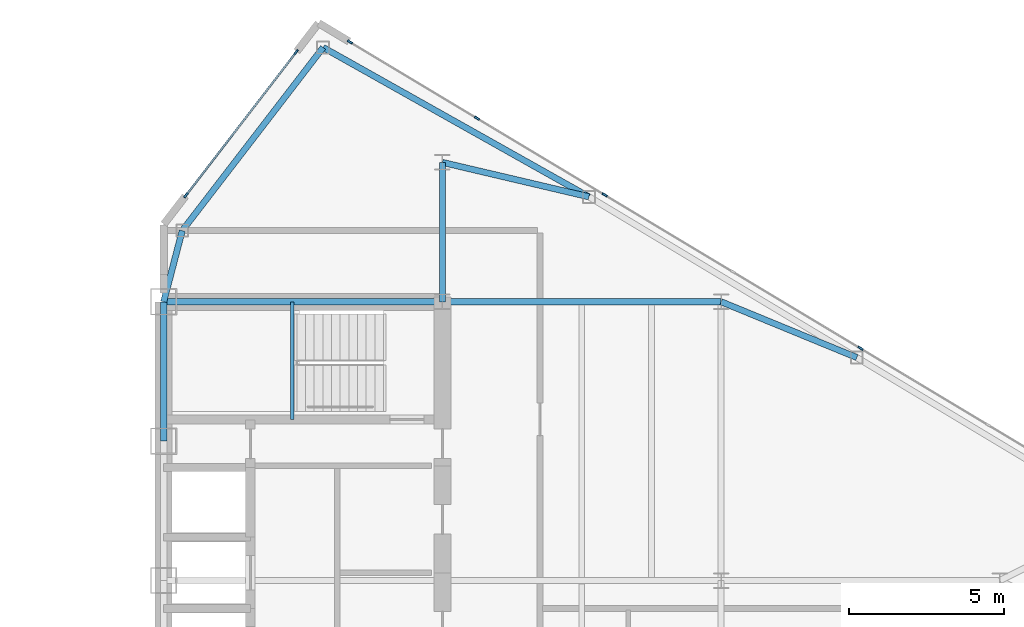
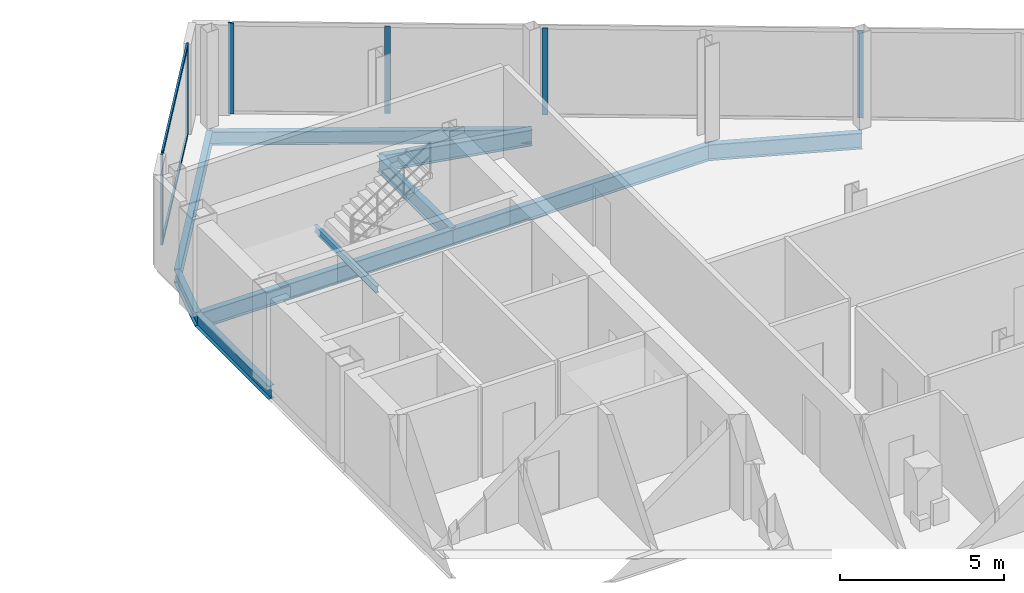
# One storey, part 15 of 25: 10 beams, 8 members, 2 elements without a shape of their own.
"""IFC4 building model written with IfcOpenShell, lengths in metres."""

import ifcopenshell
import ifcopenshell.guid

model = None  # the IFC model being written
_history = None  # IfcOwnerHistory: only IFC2X3 demands one
_inside = {}  # id of a spatial element -> (the spatial element, [elements in it])
_under = {}  # id of a project, library or spatial element -> (it, [spatial elements below it])
_declared = {}  # id of a project -> (the project, [libraries it declares])
_typed = {}  # id of a type object -> (the type object, [elements of that type])
_made_of = {}  # id of a material, layer set ... -> (it, [elements and type objects made of it])


def new_model(schema):
    """Start an empty IFC model of exactly this schema.

    Asked for "IFC4X3", IfcOpenShell would pick the latest addendum, in which some entities
    have other attributes; the version numbers below select the first issue.
    IFC2X3 requires an IfcOwnerHistory on every rooted entity: one is made here for all.
    """
    global model, _history
    if schema == "IFC4X3":
        model = ifcopenshell.file(schema_version=(4, 3, 0, 0))
    else:
        model = ifcopenshell.file(schema=schema)
    _inside.clear()
    _under.clear()
    _declared.clear()
    _typed.clear()
    _made_of.clear()
    _history = None
    if model.schema == "IFC2X3":
        org = make("IfcOrganization", Name="unknown")
        user = make(
            "IfcPersonAndOrganization",
            ThePerson=make("IfcPerson", FamilyName="unknown"),
            TheOrganization=org,
        )
        app = make(
            "IfcApplication",
            ApplicationDeveloper=org,
            Version="unknown",
            ApplicationFullName="unknown",
            ApplicationIdentifier="unknown",
        )
        _history = make(
            "IfcOwnerHistory",
            OwningUser=user,
            OwningApplication=app,
            ChangeAction="ADDED",
            CreationDate=0,
        )
    return model


def make(cls, **values):
    """One entity of the class cls with the attributes given. An attribute that is None is left unset."""
    return model.create_entity(
        cls, **{name: value for name, value in values.items() if value is not None}
    )


def rooted(cls, **values):
    """An entity with a GlobalId (a new one), such as an element, a storey or a relation."""
    return make(cls, GlobalId=ifcopenshell.guid.new(), OwnerHistory=_history, **values)


def si_unit(unit_type, name, prefix=None):
    """IfcSIUnit, for example si_unit("LENGTHUNIT", "METRE", prefix="MILLI")."""
    return make("IfcSIUnit", UnitType=unit_type, Prefix=prefix, Name=name)


def assignment(units):
    """IfcUnitAssignment: the units of a project."""
    return None if units is None else make("IfcUnitAssignment", Units=units)


def point(xyz):
    """IfcCartesianPoint."""
    return None if xyz is None else make("IfcCartesianPoint", Coordinates=xyz)


def direction(xyz):
    """IfcDirection."""
    return None if xyz is None else make("IfcDirection", DirectionRatios=xyz)


def frame(location, z_axis=None, x_axis=None):
    """IfcAxis2Placement3D, a coordinate frame: its origin and axes. An axis left out is left unset."""
    return make(
        "IfcAxis2Placement3D",
        Location=point(location),
        Axis=direction(z_axis),
        RefDirection=direction(x_axis),
    )


def frame_2d(location, x_axis=None):
    """IfcAxis2Placement2D, a coordinate frame in the plane: its origin and x axis."""
    return make(
        "IfcAxis2Placement2D", Location=point(location), RefDirection=direction(x_axis)
    )


def origin():
    """The frame at (0, 0, 0) with its axes left unset."""
    return frame((0.0, 0.0, 0.0))


def origin_2d():
    """The frame at (0, 0) in the plane with its x axis left unset."""
    return frame_2d((0.0, 0.0))


def place(relative_to, where):
    """IfcLocalPlacement: puts the frame where relative to a parent placement (None: the world)."""
    return make(
        "IfcLocalPlacement", PlacementRelTo=relative_to, RelativePlacement=where
    )


def context(
    kind, dimensions, precision=None, world=None, true_north=None, identifier=None
):
    """IfcGeometricRepresentationContext, for example the 3D "Model" context."""
    return make(
        "IfcGeometricRepresentationContext",
        ContextIdentifier=identifier,
        ContextType=kind,
        CoordinateSpaceDimension=dimensions,
        Precision=precision,
        WorldCoordinateSystem=world,
        TrueNorth=true_north,
    )


def subcontext(parent, identifier, kind, view, scale=None):
    """IfcGeometricRepresentationSubContext, for example "Body" below "Model"."""
    return make(
        "IfcGeometricRepresentationSubContext",
        ContextIdentifier=identifier,
        ContextType=kind,
        ParentContext=parent,
        TargetScale=scale,
        TargetView=view,
    )


def project(units=None, contexts=None):
    """IfcProject with its units and contexts."""
    return rooted(
        "IfcProject",
        Name="project",
        RepresentationContexts=contexts,
        UnitsInContext=assignment(units),
    )


def spatial(cls, under=None, at=None, **own):
    """A site, building, storey or space (cls), placed at a placement, below another one or the project."""
    s = rooted(cls, ObjectPlacement=at, **own)
    if under is not None:
        _under.setdefault(under.id(), (under, []))[1].append(s)
    return s


def profile(cls, at=None, kind="AREA", **sizes):
    """A parametric profile (cls). Its sizes go by their IFC names, for example OverallWidth=200.0."""
    return make(cls, ProfileType=kind, Position=at, **sizes)


def rectangle(**sizes):
    """IfcRectangleProfileDef."""
    return profile("IfcRectangleProfileDef", **sizes)


def i_section(**sizes):
    """IfcIShapeProfileDef."""
    return profile("IfcIShapeProfileDef", **sizes)


def extrude(swept, where, along, depth):
    """IfcExtrudedAreaSolid: the profile swept, set in the frame where, extruded along a direction by depth."""
    return make(
        "IfcExtrudedAreaSolid",
        SweptArea=swept,
        Position=where,
        ExtrudedDirection=direction(along),
        Depth=depth,
    )


def shape(context_of_items, identifier, shape_type, items):
    """IfcShapeRepresentation: the items that make up one representation, for example the "Body"."""
    return make(
        "IfcShapeRepresentation",
        ContextOfItems=context_of_items,
        RepresentationIdentifier=identifier,
        RepresentationType=shape_type,
        Items=items,
    )


def source(mapping_origin, context_of_items, identifier, shape_type, items):
    """IfcRepresentationMap: a shape defined once, which mapped items show again and again."""
    return make(
        "IfcRepresentationMap",
        MappingOrigin=mapping_origin,
        MappedRepresentation=shape(context_of_items, identifier, shape_type, items),
    )


def transform(
    local_origin,
    x_axis=None,
    y_axis=None,
    z_axis=None,
    scale=None,
    scale2=None,
    scale3=None,
    uniform=True,
):
    """IfcCartesianTransformationOperator3D, or its non-uniform kind. x_axis, y_axis, z_axis: its Axis1, 2, 3."""
    if uniform:
        return make(
            "IfcCartesianTransformationOperator3D",
            Axis1=direction(x_axis),
            Axis2=direction(y_axis),
            LocalOrigin=point(local_origin),
            Scale=scale,
            Axis3=direction(z_axis),
        )
    return make(
        "IfcCartesianTransformationOperator3DnonUniform",
        Axis1=direction(x_axis),
        Axis2=direction(y_axis),
        LocalOrigin=point(local_origin),
        Scale=scale,
        Axis3=direction(z_axis),
        Scale2=scale2,
        Scale3=scale3,
    )


def mapped(mapping_source, mapping_target):
    """IfcMappedItem: shows the shape of a source again, moved by a transform."""
    return make(
        "IfcMappedItem", MappingSource=mapping_source, MappingTarget=mapping_target
    )


def material(Name=None, Category=None):
    """IfcMaterial."""
    return make("IfcMaterial", Name=Name, Category=Category)


def layer(
    of_material, thickness, ventilated=None, Name=None, Category=None, Priority=None
):
    """IfcMaterialLayer: one layer of a wall or slab, of a material (None: an air gap)."""
    return make(
        "IfcMaterialLayer",
        Material=of_material,
        LayerThickness=thickness,
        IsVentilated=ventilated,
        Name=Name,
        Category=Category,
        Priority=Priority,
    )


def layer_set(layers, Name=None):
    """IfcMaterialLayerSet."""
    return make("IfcMaterialLayerSet", MaterialLayers=layers, LayerSetName=Name)


def material_profile(
    of_material, cross_section, Name=None, Category=None, Priority=None
):
    """IfcMaterialProfile: a cross section and its material."""
    return make(
        "IfcMaterialProfile",
        Name=Name,
        Material=of_material,
        Profile=cross_section,
        Priority=Priority,
        Category=Category,
    )


def profile_set(profiles, Name=None, composite=None):
    """IfcMaterialProfileSet."""
    return make(
        "IfcMaterialProfileSet",
        Name=Name,
        MaterialProfiles=profiles,
        CompositeProfile=composite,
    )


def made_of(thing, what):
    """Note that an element or type object is made of a material, layer set ...; save() writes the relation."""
    if what is not None:
        _made_of.setdefault(what.id(), (what, []))[1].append(thing)
    return thing


def type_object(cls, material=None, **own):
    """A type object (cls), such as IfcWallType, which elements share."""
    return made_of(rooted(cls, **own), material)


def type_shapes(of_type, sources):
    """Give a type object the sources (RepresentationMaps) that its elements show as mapped items."""
    of_type.RepresentationMaps = sources


def element(
    cls,
    number,
    at=None,
    inside=None,
    cuts=None,
    type_object=None,
    material=None,
    context=None,
    identifier="Body",
    shape_type=None,
    held_by="IfcProductDefinitionShape",
    body=None,
    shapes=None,
    **own,
):
    """One element of the class cls, such as IfcWall. Its Tag is "e" and its number.

    at: its placement. inside: the storey or other place that contains it. cuts: it is an
    opening in that element (IfcRelVoidsElement). A single representation is given by context,
    identifier, shape_type and body (its items); several are given by shapes. held_by: the class
    of the entity that holds the representations. save() writes the other relations.
    """
    e = rooted(cls, Tag="e%d" % number, ObjectPlacement=at, **own)
    if body is not None:
        shapes = [shape(context, identifier, shape_type, body)]
    if shapes is not None:
        e.Representation = make(held_by, Representations=shapes)
    if inside is not None:
        _inside.setdefault(inside.id(), (inside, []))[1].append(e)
    if cuts is not None:
        rooted(
            "IfcRelVoidsElement", RelatingBuildingElement=cuts, RelatedOpeningElement=e
        )
    if type_object is not None:
        _typed.setdefault(type_object.id(), (type_object, []))[1].append(e)
    return made_of(e, material)


def aggregate(whole, parts):
    """IfcRelAggregates: a whole, such as a stair, and the parts it consists of."""
    return rooted("IfcRelAggregates", RelatingObject=whole, RelatedObjects=parts)


def save(model, path):
    """Write the relations noted so far, then the file.

    IfcRelAggregates (storeys below a building ...), IfcRelContainedInSpatialStructure (elements
    in a storey), IfcRelDefinesByType, IfcRelAssociatesMaterial and IfcRelDeclares: one each for
    every whole, place, type object, material and project.
    """
    for whole, parts in _under.values():
        aggregate(whole, parts)
    for where, things in _inside.values():
        rooted(
            "IfcRelContainedInSpatialStructure",
            RelatedElements=things,
            RelatingStructure=where,
        )
    for kind, things in _typed.values():
        rooted("IfcRelDefinesByType", RelatedObjects=things, RelatingType=kind)
    for what, things in _made_of.values():
        rooted("IfcRelAssociatesMaterial", RelatedObjects=things, RelatingMaterial=what)
    for by, libraries in _declared.values():
        rooted("IfcRelDeclares", RelatingContext=by, RelatedDefinitions=libraries)
    model.write(path)


model = new_model("IFC4")

# Units and contexts
model_context = context("Model", 3, precision=1e-05, world=origin(), true_north=direction((0.0, 1.0)))
body_context = subcontext(model_context, "Body", "Model", "MODEL_VIEW")
ifc_project = project(units=[si_unit("LENGTHUNIT", "METRE"), si_unit("AREAUNIT", "SQUARE_METRE"), si_unit("VOLUMEUNIT", "CUBIC_METRE"), si_unit("PLANEANGLEUNIT", "RADIAN"), si_unit("MASSUNIT", "GRAM", prefix="KILO")], contexts=[model_context])

# Site, building, storey
site_placement = place(None, origin())
site = spatial("IfcSite", under=ifc_project, at=site_placement, CompositionType="ELEMENT")
building_placement = place(site_placement, origin())
building = spatial("IfcBuilding", under=site, at=building_placement, Name="Seokmaru Belvedere", CompositionType="ELEMENT")
storey_placement = place(building_placement, frame((0.0, 0.0, 206.699951171875)))
storey = spatial("IfcBuildingStorey", under=building, at=storey_placement, Name="L55", CompositionType="ELEMENT", Elevation=206.699951171875)

# Beams
ifc_material_1 = material(Name="Steel SM355 (355 MPa)", Category="steel")
ifc_material_profile_1 = material_profile(ifc_material_1, i_section(OverallWidth=0.199951171875, OverallDepth=0.5, WebThickness=0.010009765625, FlangeThickness=0.01611328125, at=origin_2d()), Name="H-500x200x10x16")
ifc_profile_set_1 = profile_set([ifc_material_profile_1], Name="Steel SM355 (355 MPa)")
beam_type_1 = type_object("IfcBeamType", Name="Perimeter Spandrel Beam H-500", PredefinedType="SPANDREL", material=ifc_profile_set_1)
shared_shape_1 = source(origin(), body_context, "Body", "SweptSolid", [
    extrude(i_section(OverallWidth=0.199951171875, OverallDepth=0.5, WebThickness=0.010009765625, FlangeThickness=0.01611328125, at=origin_2d()), origin(), (0.0, 0.0, 1.0), 4.5),
])
beam_1_placement = place(storey_placement, frame((27.5, 9.0, -0.469970703125), z_axis=(0.0, 1.0, 0.0), x_axis=(-1.0, 0.0, 0.0)))
element("IfcBeam", 1, at=beam_1_placement, inside=storey, type_object=beam_type_1, Name="L55 E Portal Spine Spandrel 5", PredefinedType="SPANDREL", context=body_context, shape_type="MappedRepresentation", body=[
    mapped(shared_shape_1, transform((0.0, 0.0, 0.0), scale=1.0)),
])
ifc_material_profile_2 = material_profile(ifc_material_1, i_section(OverallWidth=0.199951171875, OverallDepth=0.60009765625, WebThickness=0.010986328125, FlangeThickness=0.01708984375, at=origin_2d()), Name="H-600x200x11x17")
ifc_profile_set_2 = profile_set([ifc_material_profile_2], Name="Steel SM355 (355 MPa)")
beam_type_2 = type_object("IfcBeamType", Name="Primary Floor Girder H-600", PredefinedType="BEAM", material=ifc_profile_set_2)
shared_shape_2 = source(origin(), body_context, "Body", "SweptSolid", [
    extrude(i_section(OverallWidth=0.199951171875, OverallDepth=0.60009765625, WebThickness=0.010986328125, FlangeThickness=0.01708984375, at=origin_2d()), origin(), (0.0, 0.0, 1.0), 9.0),
])
for number, where, z_axis, x_axis, name in (
    (2, (27.5, 13.5, -0.52001953125), (1.0, 0.0, 0.0), (0.0, 1.0, 0.0), "L55 E Core Tie Girder 4"),
    (3, (36.5, 13.5, -0.52001953125), (1.0, 0.0, 0.0), (0.0, 1.0, 0.0), "L55 E Wing Primary Girder 4"),
):
    element("IfcBeam", number, at=place(storey_placement, frame(where, z_axis=z_axis, x_axis=x_axis)), inside=storey, type_object=beam_type_2, Name=name, PredefinedType="BEAM", context=body_context, shape_type="MappedRepresentation", body=[
        mapped(shared_shape_2, transform((0.0, 0.0, 0.0), scale=1.0)),
    ])
shared_shape_3 = source(origin(), body_context, "Body", "SweptSolid", [
    extrude(i_section(OverallWidth=0.199951171875, OverallDepth=0.60009765625, WebThickness=0.010986328125, FlangeThickness=0.01708984375, at=origin_2d()), origin(), (0.0, 0.0, 1.0), 4.5),
])
beam_2_placement = place(storey_placement, frame((36.5, 13.5, -0.52001953125), z_axis=(0.0, 1.0, 0.0), x_axis=(-1.0, 0.0, 0.0)))
element("IfcBeam", 4, at=beam_2_placement, inside=storey, type_object=beam_type_2, Name="L55 E Core Shoulder Girder N", PredefinedType="BEAM", context=body_context, shape_type="MappedRepresentation", body=[
    mapped(shared_shape_3, transform((0.0, 0.0, 0.0), scale=1.0)),
])
shared_shape_4 = source(origin(), body_context, "Body", "SweptSolid", [
    extrude(i_section(OverallWidth=0.199951171875, OverallDepth=0.5, WebThickness=0.010009765625, FlangeThickness=0.01611328125, at=origin_2d()), origin(), (0.0, 0.0, 1.0), 9.842041015625),
])
beam_3_placement = place(storey_placement, frame((32.649658203125, 21.71044921875, -0.469970703125), z_axis=(0.871782151818, -0.489893743349, 0.0), x_axis=(0.489893743349, 0.871782151818, 0.0)))
element("IfcBeam", 5, at=beam_3_placement, inside=storey, type_object=beam_type_1, Name="L55 E Faceted Flank Spandrel N-1", PredefinedType="SPANDREL", context=body_context, shape_type="MappedRepresentation", body=[
    mapped(shared_shape_4, transform((0.0, 0.0, 0.0), scale=1.0)),
])
shared_shape_5 = source(origin(), body_context, "Body", "SweptSolid", [
    extrude(i_section(OverallWidth=0.199951171875, OverallDepth=0.5, WebThickness=0.010009765625, FlangeThickness=0.01611328125, at=origin_2d()), origin(), (0.0, 0.0, 1.0), 7.4619140625),
])
beam_4_placement = place(storey_placement, frame((32.649658203125, 21.71044921875, -0.469970703125), z_axis=(-0.609702854945, -0.792630070507, 0.0), x_axis=(0.792630070507, -0.609702854945, 0.0)))
element("IfcBeam", 6, at=beam_4_placement, inside=storey, type_object=beam_type_1, Name="L55 E Shoulder Chamfer Spandrel N", PredefinedType="SPANDREL", context=body_context, shape_type="MappedRepresentation", body=[
    mapped(shared_shape_5, transform((0.0, 0.0, 0.0), scale=1.0)),
])
shared_shape_6 = source(origin(), body_context, "Body", "SweptSolid", [
    extrude(i_section(OverallWidth=0.199951171875, OverallDepth=0.5, WebThickness=0.010009765625, FlangeThickness=0.01611328125, at=origin_2d()), origin(), (0.0, 0.0, 1.0), 2.373046875),
])
type_shapes(beam_type_1, [shared_shape_1, shared_shape_4, shared_shape_5, shared_shape_6])
beam_5_placement = place(storey_placement, frame((28.10009765625, 15.7958984375, -0.469970703125), z_axis=(-0.252882558842, -0.967496982648, 0.0), x_axis=(0.967496982648, -0.252882558842, 0.0)))
element("IfcBeam", 7, at=beam_5_placement, inside=storey, type_object=beam_type_1, Name="L55 E Shoulder Spine Spandrel N", PredefinedType="SPANDREL", context=body_context, shape_type="MappedRepresentation", body=[
    mapped(shared_shape_6, transform((0.0, 0.0, 0.0), scale=1.0)),
])
shared_shape_7 = source(origin(), body_context, "Body", "SweptSolid", [
    extrude(i_section(OverallWidth=0.199951171875, OverallDepth=0.60009765625, WebThickness=0.010986328125, FlangeThickness=0.01708984375, at=origin_2d()), origin(), (0.0, 0.0, 1.0), 4.8583984375),
])
beam_6_placement = place(storey_placement, frame((41.229736328125, 16.888916015625, -0.52001953125), z_axis=(-0.97349948295, 0.228689214211, 0.0), x_axis=(-0.228689214211, -0.97349948295, 0.0)))
element("IfcBeam", 8, at=beam_6_placement, inside=storey, type_object=beam_type_2, Name="L55 E Flank Radial Floor Girder N-1", PredefinedType="BEAM", context=body_context, shape_type="MappedRepresentation", body=[
    mapped(shared_shape_7, transform((0.0, 0.0, 0.0), scale=1.0)),
])
shared_shape_8 = source(origin(), body_context, "Body", "SweptSolid", [
    extrude(i_section(OverallWidth=0.199951171875, OverallDepth=0.60009765625, WebThickness=0.010986328125, FlangeThickness=0.01708984375, at=origin_2d()), origin(), (0.0, 0.0, 1.0), 4.73583984375),
])
type_shapes(beam_type_2, [shared_shape_2, shared_shape_3, shared_shape_7, shared_shape_8])
beam_7_placement = place(storey_placement, frame((49.8798828125, 11.698974609375, -0.52001953125), z_axis=(-0.924860562953, 0.380306375301, 0.0), x_axis=(-0.380306375301, -0.924860562953, 0.0)))
element("IfcBeam", 9, at=beam_7_placement, inside=storey, type_object=beam_type_2, Name="L55 E Flank Radial Floor Girder N-2", PredefinedType="BEAM", context=body_context, shape_type="MappedRepresentation", body=[
    mapped(shared_shape_8, transform((0.0, 0.0, 0.0), scale=1.0)),
])

# Curtain wall, members
ifc_material_2 = material(Name="Bronze Triple Insulating Glass", Category="glass")
ifc_layer = layer(ifc_material_2, 0.179931640625)
ifc_layer_set = layer_set([ifc_layer], Name="Bronze Triple Insulating Glass")
curtain_wall_type = type_object("IfcCurtainWallType", Name="High-Rise Wind-Corner Curtain Wall System CW-5", PredefinedType="NOTDEFINED", material=ifc_layer_set)
curtain_wall_1_placement = place(storey_placement, origin())
curtain_wall_1 = element("IfcCurtainWall", 10, at=curtain_wall_1_placement, inside=storey, type_object=curtain_wall_type, Name="L55 Curtain Wall EF3", PredefinedType="NOTDEFINED")
ifc_material_3 = material(Name="Anodised Bronze Aluminium", Category="aluminium")
ifc_material_profile_3 = material_profile(ifc_material_3, rectangle(XDim=0.06494140625, YDim=0.179931640625, at=origin_2d()), Name="CW-M-65x180")
ifc_profile_set_3 = profile_set([ifc_material_profile_3], Name="Anodised Bronze Aluminium")
member_type_1 = type_object("IfcMemberType", Name="Bronze Unitised Mullion 65x180", PredefinedType="MULLION", material=ifc_profile_set_3)
shared_shape_9 = source(origin(), body_context, "Body", "SweptSolid", [
    extrude(rectangle(XDim=0.06494140625, YDim=0.179931640625, at=origin_2d()), origin(), (0.0, 0.0, 1.0), 3.25),
])
member_1_placement = place(storey_placement, frame((50.0, 12.0, 0.06494140625), z_axis=(0.0, 0.0, 1.0), x_axis=(-0.514494909364, -0.85749343335, 0.0)))
member_1 = element("IfcMember", 11, at=member_1_placement, type_object=member_type_1, Name="CW:L55:EF3 Mullion 5", PredefinedType="MULLION", context=body_context, shape_type="MappedRepresentation", body=[
    mapped(shared_shape_9, transform((0.0, 0.0, 0.0), scale=1.0)),
])
member_2_placement = place(storey_placement, frame((41.742919921875, 16.9541015625, 0.06494140625), z_axis=(0.0, 0.0, 1.0), x_axis=(-0.514494909364, -0.85749343335, 0.0)))
member_2 = element("IfcMember", 12, at=member_2_placement, type_object=member_type_1, Name="CW:L55:EF3 Mullion 7", PredefinedType="MULLION", context=body_context, shape_type="MappedRepresentation", body=[
    mapped(shared_shape_9, transform((0.0, 0.0, 0.0), scale=1.0)),
])
member_3_placement = place(storey_placement, frame((37.614501953125, 19.43115234375, 0.06494140625), z_axis=(0.0, 0.0, 1.0), x_axis=(-0.514494909364, -0.85749343335, 0.0)))
member_3 = element("IfcMember", 13, at=member_3_placement, type_object=member_type_1, Name="CW:L55:EF3 Mullion 8", PredefinedType="MULLION", context=body_context, shape_type="MappedRepresentation", body=[
    mapped(shared_shape_9, transform((0.0, 0.0, 0.0), scale=1.0)),
])
shared_shape_10 = source(origin(), body_context, "Body", "SweptSolid", [
    extrude(rectangle(XDim=0.06494140625, YDim=0.179931640625, at=origin_2d()), origin(), (0.0, 0.0, 1.0), 3.380126953125),
])
type_shapes(member_type_1, [shared_shape_9, shared_shape_10])
member_4_placement = place(storey_placement, frame((33.513916015625, 21.8916015625, 0.0), z_axis=(0.0, 0.0, 1.0), x_axis=(-0.514494909364, -0.85749343335, 0.0)))
member_4 = element("IfcMember", 14, at=member_4_placement, type_object=member_type_1, Name="CW:L55:EF3 Mullion 9", PredefinedType="MULLION", context=body_context, shape_type="MappedRepresentation", body=[
    mapped(shared_shape_10, transform((0.0, 0.0, 0.0), scale=1.0)),
])
aggregate(curtain_wall_1, [member_1, member_2, member_3, member_4])

curtain_wall_2_placement = place(storey_placement, origin())
curtain_wall_2 = element("IfcCurtainWall", 15, at=curtain_wall_2_placement, inside=storey, type_object=curtain_wall_type, Name="L55 Curtain Wall EF4", PredefinedType="NOTDEFINED")
member_5_placement = place(storey_placement, frame((31.779052734375, 21.562744140625, 0.0), z_axis=(0.0, 0.0, 1.0), x_axis=(0.792631353244, -0.609701187349, 0.0)))
member_5 = element("IfcMember", 16, at=member_5_placement, type_object=member_type_1, Name="CW:L55:EF4 Mullion 1", PredefinedType="MULLION", context=body_context, shape_type="MappedRepresentation", body=[
    mapped(shared_shape_10, transform((0.0, 0.0, 0.0), scale=1.0)),
])
member_6_placement = place(storey_placement, frame((28.220947265625, 16.937255859375, 0.0), z_axis=(0.0, 0.0, 1.0), x_axis=(0.792631353244, -0.609701187349, 0.0)))
member_6 = element("IfcMember", 17, at=member_6_placement, type_object=member_type_1, Name="CW:L55:EF4 Mullion 2", PredefinedType="MULLION", context=body_context, shape_type="MappedRepresentation", body=[
    mapped(shared_shape_10, transform((0.0, 0.0, 0.0), scale=1.0)),
])
ifc_material_profile_4 = material_profile(ifc_material_3, rectangle(XDim=0.06494140625, YDim=0.14990234375, at=origin_2d()), Name="CW-T-65x150")
ifc_profile_set_4 = profile_set([ifc_material_profile_4], Name="Anodised Bronze Aluminium")
member_type_2 = type_object("IfcMemberType", Name="Bronze Unitised Transom 65x150", PredefinedType="USERDEFINED", material=ifc_profile_set_4)
shared_shape_11 = source(origin(), body_context, "Body", "SweptSolid", [
    extrude(rectangle(XDim=0.06494140625, YDim=0.14990234375, at=origin_2d()), origin(), (0.0, 0.0, 1.0), 5.77099609375),
])
type_shapes(member_type_2, [shared_shape_11])
member_7_placement = place(storey_placement, frame((31.75927734375, 21.537109375, 0.032470703125), z_axis=(-0.60970258286, -0.792630279799, 0.0), x_axis=(0.792630279799, -0.60970258286, 0.0)))
member_7 = element("IfcMember", 18, at=member_7_placement, type_object=member_type_2, Name="CW:L55:EF4 Continuous Transom 1", ObjectType="TRANSOM", PredefinedType="USERDEFINED", context=body_context, shape_type="MappedRepresentation", body=[
    mapped(shared_shape_11, transform((0.0, 0.0, 0.0), scale=1.0)),
])
member_8_placement = place(storey_placement, frame((31.75927734375, 21.537109375, 3.34765625), z_axis=(-0.60970258286, -0.792630279799, 0.0), x_axis=(0.792630279799, -0.60970258286, 0.0)))
member_8 = element("IfcMember", 19, at=member_8_placement, type_object=member_type_2, Name="CW:L55:EF4 Continuous Transom 2", ObjectType="TRANSOM", PredefinedType="USERDEFINED", context=body_context, shape_type="MappedRepresentation", body=[
    mapped(shared_shape_11, transform((0.0, 0.0, 0.0), scale=1.0)),
])
aggregate(curtain_wall_2, [member_5, member_6, member_7, member_8])

# Beam
ifc_material_profile_5 = material_profile(ifc_material_1, i_section(OverallWidth=0.125, OverallDepth=0.25, WebThickness=0.006103515625, FlangeThickness=0.009033203125, at=origin_2d()), Name="H-250x125x6x9")
ifc_profile_set_5 = profile_set([ifc_material_profile_5], Name="Steel SM355 (355 MPa)")
beam_type_3 = type_object("IfcBeamType", Name="Stair Mid-Landing Support Beam H-250", PredefinedType="JOIST", material=ifc_profile_set_5)
shared_shape_12 = source(origin(), body_context, "Body", "SweptSolid", [
    extrude(i_section(OverallWidth=0.125, OverallDepth=0.25, WebThickness=0.006103515625, FlangeThickness=0.009033203125, at=origin_2d()), origin(), (0.0, 0.0, 1.0), 3.800048828125),
])
type_shapes(beam_type_3, [shared_shape_12])
beam_8_placement = place(storey_placement, frame((31.64990234375, 9.699951171875, 1.47509765625), z_axis=(0.0, 1.0, 0.0), x_axis=(-1.0, 0.0, 0.0)))
element("IfcBeam", 20, at=beam_8_placement, inside=storey, type_object=beam_type_3, Name="L55 Stair ST-E2 Mid-Landing Support Beam 1", PredefinedType="JOIST", context=body_context, shape_type="MappedRepresentation", body=[
    mapped(shared_shape_12, transform((0.0, 0.0, 0.0), scale=1.0)),
])

save(model, "model.ifc")
